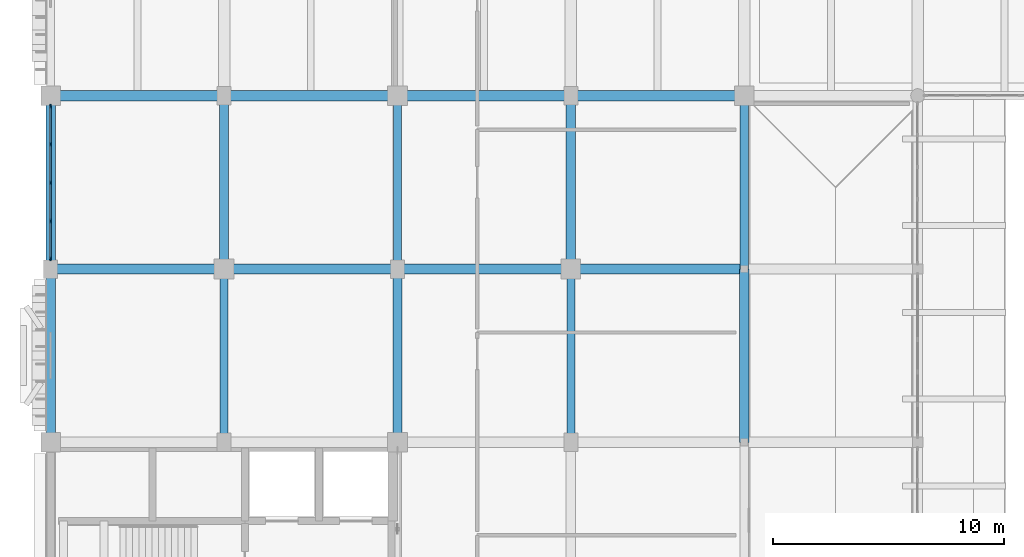
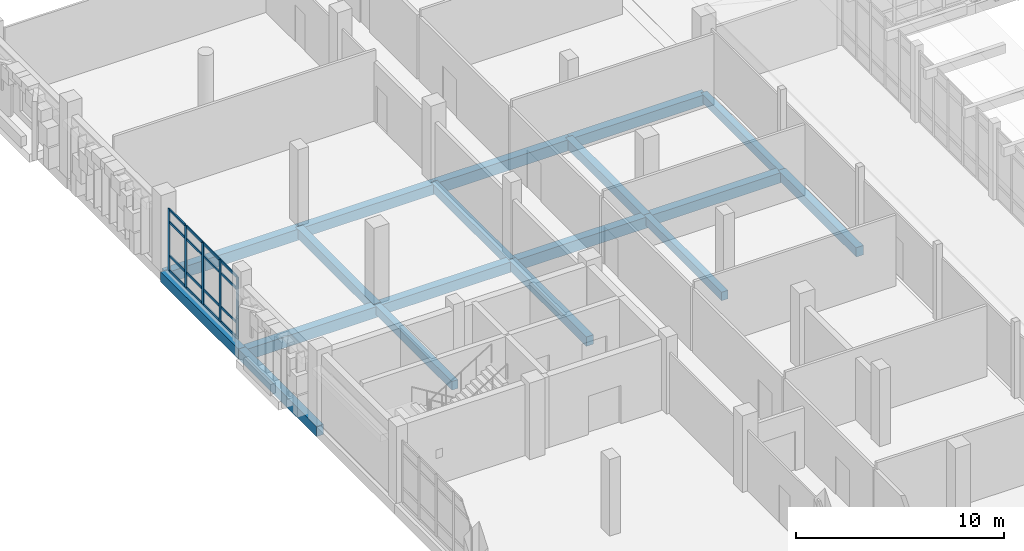
# One storey, part 43 of 128: 21 members, 18 beams, 1 element without a shape of its own.
"""IFC4 building model written with IfcOpenShell, lengths in metres."""

from ifc_helpers import new_model, si_unit, direction, frame, origin, origin_2d, place, context, subcontext, project, spatial, rectangle, extrude, material, layer, layer_set, material_profile, profile_set, type_object, element, aggregate, save


model = new_model("IFC4")

# Units and contexts
model_context = context("Model", 3, precision=1e-05, world=origin(), true_north=direction((0.0, 1.0)))
body_context = subcontext(model_context, "Body", "Model", "MODEL_VIEW")
ifc_project = project(units=[si_unit("LENGTHUNIT", "METRE"), si_unit("AREAUNIT", "SQUARE_METRE"), si_unit("VOLUMEUNIT", "CUBIC_METRE"), si_unit("PLANEANGLEUNIT", "RADIAN"), si_unit("MASSUNIT", "GRAM", prefix="KILO")], contexts=[model_context])

# Site, building, storey
site_placement = place(None, origin())
site = spatial("IfcSite", under=ifc_project, at=site_placement, CompositionType="ELEMENT")
building_placement = place(site_placement, origin())
building = spatial("IfcBuilding", under=site, at=building_placement, Name="Dalvernix Boulevard General Hospital", CompositionType="ELEMENT")
storey_placement = place(building_placement, frame((0.0, 0.0, 4.800048828125)))
storey = spatial("IfcBuildingStorey", under=building, at=storey_placement, Name="L01", CompositionType="ELEMENT", Elevation=4.800048828125)

# Beams
ifc_material_1 = material(Name="Concrete C35/45", Category="concrete")
ifc_material_profile_1 = material_profile(ifc_material_1, rectangle(XDim=0.449951171875, YDim=0.64990234375, at=origin_2d()), Name="RCB 450x650")
ifc_profile_set_1 = profile_set([ifc_material_profile_1], Name="Concrete C35/45")
beam_type_1 = type_object("IfcBeamType", Name="BM-B-03-I", PredefinedType="BEAM", material=ifc_profile_set_1)
for number, where, z_axis, x_axis, name in (
    (1, (0.0, 69.0, -0.625), (1.0, 0.0, 0.0), (0.0, 1.0, 0.0), "L01 E-W girder K:1-2"),
    (2, (15.0, 69.0, -0.625), (1.0, 0.0, 0.0), (0.0, 1.0, 0.0), "L01 E-W girder K:3-4"),
    (3, (0.0, 76.5, -0.625), (1.0, 0.0, 0.0), (0.0, 1.0, 0.0), "L01 E-W girder L:1-2"),
    (4, (15.0, 76.5, -0.625), (1.0, 0.0, 0.0), (0.0, 1.0, 0.0), "L01 E-W girder L:3-4"),
):
    element("IfcBeam", number, at=place(storey_placement, frame(where, z_axis=z_axis, x_axis=x_axis)), inside=storey, type_object=beam_type_1, Name=name, PredefinedType="BEAM", context=body_context, shape_type="SweptSolid", body=[
        extrude(rectangle(XDim=0.449951171875, YDim=0.64990234375, at=origin_2d()), origin(), (0.0, 0.0, 1.0), 7.5),
    ])
ifc_material_profile_2 = material_profile(ifc_material_1, rectangle(XDim=0.449951171875, YDim=0.60009765625, at=origin_2d()), Name="RCB 450x600")
ifc_profile_set_2 = profile_set([ifc_material_profile_2], Name="Concrete C35/45")
beam_type_2 = type_object("IfcBeamType", Name="BM-B-04-I", PredefinedType="BEAM", material=ifc_profile_set_2)
for number, where, z_axis, x_axis, name in (
    (5, (7.5, 69.0, -0.60009765625), (1.0, 0.0, 0.0), (0.0, 1.0, 0.0), "L01 E-W girder K:2-3"),
    (6, (22.5, 69.0, -0.60009765625), (1.0, 0.0, 0.0), (0.0, 1.0, 0.0), "L01 E-W girder K:4-5"),
    (7, (7.5, 76.5, -0.60009765625), (1.0, 0.0, 0.0), (0.0, 1.0, 0.0), "L01 E-W girder L:2-3"),
    (8, (22.5, 76.5, -0.60009765625), (1.0, 0.0, 0.0), (0.0, 1.0, 0.0), "L01 E-W girder L:4-5"),
):
    element("IfcBeam", number, at=place(storey_placement, frame(where, z_axis=z_axis, x_axis=x_axis)), inside=storey, type_object=beam_type_2, Name=name, PredefinedType="BEAM", context=body_context, shape_type="SweptSolid", body=[
        extrude(rectangle(XDim=0.449951171875, YDim=0.60009765625, at=origin_2d()), origin(), (0.0, 0.0, 1.0), 7.5),
    ])
ifc_material_profile_3 = material_profile(ifc_material_1, rectangle(XDim=0.39990234375, YDim=0.550048828125, at=origin_2d()), Name="RCB 400x550")
ifc_profile_set_3 = profile_set([ifc_material_profile_3], Name="Concrete C35/45")
beam_type_3 = type_object("IfcBeamType", Name="BM-B-06-I", PredefinedType="BEAM", material=ifc_profile_set_3)
for number, where, z_axis, x_axis, name in (
    (9, (7.5, 69.0, -0.574951171875), (0.0, 1.0, 0.0), (-1.0, 0.0, 0.0), "L01 N-S girder 2:K-L"),
    (10, (15.0, 61.5, -0.574951171875), (0.0, 1.0, 0.0), (-1.0, 0.0, 0.0), "L01 N-S girder 3:J-K"),
    (11, (22.5, 69.0, -0.574951171875), (0.0, 1.0, 0.0), (-1.0, 0.0, 0.0), "L01 N-S girder 4:K-L"),
    (12, (30.0, 61.5, -0.574951171875), (0.0, 1.0, 0.0), (-1.0, 0.0, 0.0), "L01 N-S girder 5:J-K"),
):
    element("IfcBeam", number, at=place(storey_placement, frame(where, z_axis=z_axis, x_axis=x_axis)), inside=storey, type_object=beam_type_3, Name=name, PredefinedType="BEAM", context=body_context, shape_type="SweptSolid", body=[
        extrude(rectangle(XDim=0.39990234375, YDim=0.550048828125, at=origin_2d()), origin(), (0.0, 0.0, 1.0), 7.5),
    ])
ifc_material_profile_4 = material_profile(ifc_material_1, rectangle(XDim=0.35009765625, YDim=0.5, at=origin_2d()), Name="RCB 350x500")
ifc_profile_set_4 = profile_set([ifc_material_profile_4], Name="Concrete C35/45")
beam_type_4 = type_object("IfcBeamType", Name="BM-B-08-I", PredefinedType="BEAM", material=ifc_profile_set_4)
for number, where, z_axis, x_axis, name in (
    (13, (7.5, 61.5, -0.550048828125), (0.0, 1.0, 0.0), (-1.0, 0.0, 0.0), "L01 N-S girder 2:J-K"),
    (14, (15.0, 69.0, -0.550048828125), (0.0, 1.0, 0.0), (-1.0, 0.0, 0.0), "L01 N-S girder 3:K-L"),
    (15, (22.5, 61.5, -0.550048828125), (0.0, 1.0, 0.0), (-1.0, 0.0, 0.0), "L01 N-S girder 4:J-K"),
    (16, (30.0, 69.0, -0.550048828125), (0.0, 1.0, 0.0), (-1.0, 0.0, 0.0), "L01 N-S girder 5:K-L"),
):
    element("IfcBeam", number, at=place(storey_placement, frame(where, z_axis=z_axis, x_axis=x_axis)), inside=storey, type_object=beam_type_4, Name=name, PredefinedType="BEAM", context=body_context, shape_type="SweptSolid", body=[
        extrude(rectangle(XDim=0.35009765625, YDim=0.5, at=origin_2d()), origin(), (0.0, 0.0, 1.0), 7.5),
    ])
ifc_material_profile_5 = material_profile(ifc_material_1, rectangle(XDim=0.39990234375, YDim=0.60009765625, at=origin_2d()), Name="RCB 400x600")
ifc_profile_set_5 = profile_set([ifc_material_profile_5], Name="Concrete C35/45")
beam_type_5 = type_object("IfcBeamType", Name="BM-SB-02-E", PredefinedType="SPANDREL", material=ifc_profile_set_5)
for number, where, z_axis, x_axis, name in (
    (17, (0.0, 61.5, -0.60009765625), (0.0, 1.0, 0.0), (-1.0, 0.0, 0.0), "L01 N-S girder 1:J-K"),
    (18, (0.0, 69.0, -0.60009765625), (0.0, 1.0, 0.0), (-1.0, 0.0, 0.0), "L01 N-S girder 1:K-L"),
):
    element("IfcBeam", number, at=place(storey_placement, frame(where, z_axis=z_axis, x_axis=x_axis)), inside=storey, type_object=beam_type_5, Name=name, PredefinedType="SPANDREL", context=body_context, shape_type="SweptSolid", body=[
        extrude(rectangle(XDim=0.39990234375, YDim=0.60009765625, at=origin_2d()), origin(), (0.0, 0.0, 1.0), 7.5),
    ])

# Curtain wall, members
ifc_material_2 = material(Name="Thermally broken aluminium and solar-control glass curtain wall", Category="aluminium")
ifc_layer = layer(ifc_material_2, 0.179931640625)
ifc_layer_set = layer_set([ifc_layer], Name="Thermally broken aluminium and solar-control glass curtain wall (CW-CW-B-67x36)")
curtain_wall_type = type_object("IfcCurtainWallType", Name="CW-CW-B-67x36", PredefinedType="USERDEFINED", material=ifc_layer_set)
curtain_wall_placement = place(storey_placement, origin())
curtain_wall = element("IfcCurtainWall", 19, at=curtain_wall_placement, inside=storey, type_object=curtain_wall_type, Name="L01 curtain wall CW-B-67x36 0-9", ObjectType="GLAZED FACADE", PredefinedType="USERDEFINED")
ifc_material_3 = material(Name="Aluminium EN AW-6060", Category="aluminium")
ifc_material_profile_6 = material_profile(ifc_material_3, rectangle(XDim=0.06494140625, YDim=0.179931640625, at=origin_2d()), Name="ALU MULL 65x180")
ifc_profile_set_6 = profile_set([ifc_material_profile_6], Name="Aluminium EN AW-6060")
member_type_1 = type_object("IfcMemberType", Name="MEM-CW-M2", PredefinedType="MULLION", material=ifc_profile_set_6)
member_1_placement = place(storey_placement, frame((0.0, 69.4423828125, 0.0), z_axis=(0.0, 0.0, 1.0), x_axis=(-1.0, 0.0, 0.0)))
member_1 = element("IfcMember", 20, at=member_1_placement, type_object=member_type_1, Name="CW-B-67x36 mullion 1", PredefinedType="MULLION", context=body_context, shape_type="SweptSolid", body=[
    extrude(rectangle(XDim=0.06494140625, YDim=0.179931640625, at=origin_2d()), origin(), (0.0, 0.0, 1.0), 3.6298828125),
])
member_2_placement = place(storey_placement, frame((0.0, 71.07373046875, 0.0), z_axis=(0.0, 0.0, 1.0), x_axis=(-1.0, 0.0, 0.0)))
member_2 = element("IfcMember", 21, at=member_2_placement, type_object=member_type_1, Name="CW-B-67x36 mullion 2", PredefinedType="MULLION", context=body_context, shape_type="SweptSolid", body=[
    extrude(rectangle(XDim=0.06494140625, YDim=0.179931640625, at=origin_2d()), origin(), (0.0, 0.0, 1.0), 3.6298828125),
])
member_3_placement = place(storey_placement, frame((0.0, 72.737548828125, 0.0), z_axis=(0.0, 0.0, 1.0), x_axis=(-1.0, 0.0, 0.0)))
member_3 = element("IfcMember", 22, at=member_3_placement, type_object=member_type_1, Name="CW-B-67x36 mullion 3", PredefinedType="MULLION", context=body_context, shape_type="SweptSolid", body=[
    extrude(rectangle(XDim=0.06494140625, YDim=0.179931640625, at=origin_2d()), origin(), (0.0, 0.0, 1.0), 3.6298828125),
])
member_4_placement = place(storey_placement, frame((0.0, 74.4013671875, 0.0), z_axis=(0.0, 0.0, 1.0), x_axis=(-1.0, 0.0, 0.0)))
member_4 = element("IfcMember", 23, at=member_4_placement, type_object=member_type_1, Name="CW-B-67x36 mullion 4", PredefinedType="MULLION", context=body_context, shape_type="SweptSolid", body=[
    extrude(rectangle(XDim=0.06494140625, YDim=0.179931640625, at=origin_2d()), origin(), (0.0, 0.0, 1.0), 3.6298828125),
])
member_5_placement = place(storey_placement, frame((0.0, 76.032470703125, 0.0), z_axis=(0.0, 0.0, 1.0), x_axis=(-1.0, 0.0, 0.0)))
member_5 = element("IfcMember", 24, at=member_5_placement, type_object=member_type_1, Name="CW-B-67x36 mullion 5", PredefinedType="MULLION", context=body_context, shape_type="SweptSolid", body=[
    extrude(rectangle(XDim=0.06494140625, YDim=0.179931640625, at=origin_2d()), origin(), (0.0, 0.0, 1.0), 3.6298828125),
])
ifc_material_profile_7 = material_profile(ifc_material_3, rectangle(XDim=0.06494140625, YDim=0.139892578125, at=origin_2d()), Name="ALU TRAN 65x140")
ifc_profile_set_7 = profile_set([ifc_material_profile_7], Name="Aluminium EN AW-6060")
member_type_2 = type_object("IfcMemberType", Name="MEM-CW-T2", PredefinedType="USERDEFINED", material=ifc_profile_set_7)
member_6_placement = place(storey_placement, frame((0.0, 69.47509765625, 0.032470703125), z_axis=(0.0, 1.0, 0.0), x_axis=(-1.0, 0.0, 0.0)))
member_6 = element("IfcMember", 25, at=member_6_placement, type_object=member_type_2, Name="CW-B-67x36 transom 1.1", ObjectType="TRANSOM", PredefinedType="USERDEFINED", context=body_context, shape_type="SweptSolid", body=[
    extrude(rectangle(XDim=0.06494140625, YDim=0.139892578125, at=origin_2d()), origin(), (0.0, 0.0, 1.0), 1.566162109375),
])
member_7_placement = place(storey_placement, frame((0.0, 69.47509765625, 0.89990234375), z_axis=(0.0, 1.0, 0.0), x_axis=(-1.0, 0.0, 0.0)))
member_7 = element("IfcMember", 26, at=member_7_placement, type_object=member_type_2, Name="CW-B-67x36 transom 1.2", ObjectType="TRANSOM", PredefinedType="USERDEFINED", context=body_context, shape_type="SweptSolid", body=[
    extrude(rectangle(XDim=0.06494140625, YDim=0.139892578125, at=origin_2d()), origin(), (0.0, 0.0, 1.0), 1.566162109375),
])
member_8_placement = place(storey_placement, frame((0.0, 69.47509765625, 2.8798828125), z_axis=(0.0, 1.0, 0.0), x_axis=(-1.0, 0.0, 0.0)))
member_8 = element("IfcMember", 27, at=member_8_placement, type_object=member_type_2, Name="CW-B-67x36 transom 1.3", ObjectType="TRANSOM", PredefinedType="USERDEFINED", context=body_context, shape_type="SweptSolid", body=[
    extrude(rectangle(XDim=0.06494140625, YDim=0.139892578125, at=origin_2d()), origin(), (0.0, 0.0, 1.0), 1.566162109375),
])
member_9_placement = place(storey_placement, frame((0.0, 69.47509765625, 3.597412109375), z_axis=(0.0, 1.0, 0.0), x_axis=(-1.0, 0.0, 0.0)))
member_9 = element("IfcMember", 28, at=member_9_placement, type_object=member_type_2, Name="CW-B-67x36 transom 1.4", ObjectType="TRANSOM", PredefinedType="USERDEFINED", context=body_context, shape_type="SweptSolid", body=[
    extrude(rectangle(XDim=0.06494140625, YDim=0.139892578125, at=origin_2d()), origin(), (0.0, 0.0, 1.0), 1.566162109375),
])
member_10_placement = place(storey_placement, frame((0.0, 71.106201171875, 0.032470703125), z_axis=(0.0, 1.0, 0.0), x_axis=(-1.0, 0.0, 0.0)))
member_10 = element("IfcMember", 29, at=member_10_placement, type_object=member_type_2, Name="CW-B-67x36 transom 2.1", ObjectType="TRANSOM", PredefinedType="USERDEFINED", context=body_context, shape_type="SweptSolid", body=[
    extrude(rectangle(XDim=0.06494140625, YDim=0.139892578125, at=origin_2d()), origin(), (0.0, 0.0, 1.0), 1.598876953125),
])
member_11_placement = place(storey_placement, frame((0.0, 71.106201171875, 0.89990234375), z_axis=(0.0, 1.0, 0.0), x_axis=(-1.0, 0.0, 0.0)))
member_11 = element("IfcMember", 30, at=member_11_placement, type_object=member_type_2, Name="CW-B-67x36 transom 2.2", ObjectType="TRANSOM", PredefinedType="USERDEFINED", context=body_context, shape_type="SweptSolid", body=[
    extrude(rectangle(XDim=0.06494140625, YDim=0.139892578125, at=origin_2d()), origin(), (0.0, 0.0, 1.0), 1.598876953125),
])
member_12_placement = place(storey_placement, frame((0.0, 71.106201171875, 2.8798828125), z_axis=(0.0, 1.0, 0.0), x_axis=(-1.0, 0.0, 0.0)))
member_12 = element("IfcMember", 31, at=member_12_placement, type_object=member_type_2, Name="CW-B-67x36 transom 2.3", ObjectType="TRANSOM", PredefinedType="USERDEFINED", context=body_context, shape_type="SweptSolid", body=[
    extrude(rectangle(XDim=0.06494140625, YDim=0.139892578125, at=origin_2d()), origin(), (0.0, 0.0, 1.0), 1.598876953125),
])
member_13_placement = place(storey_placement, frame((0.0, 71.106201171875, 3.597412109375), z_axis=(0.0, 1.0, 0.0), x_axis=(-1.0, 0.0, 0.0)))
member_13 = element("IfcMember", 32, at=member_13_placement, type_object=member_type_2, Name="CW-B-67x36 transom 2.4", ObjectType="TRANSOM", PredefinedType="USERDEFINED", context=body_context, shape_type="SweptSolid", body=[
    extrude(rectangle(XDim=0.06494140625, YDim=0.139892578125, at=origin_2d()), origin(), (0.0, 0.0, 1.0), 1.598876953125),
])
member_14_placement = place(storey_placement, frame((0.0, 72.77001953125, 0.032470703125), z_axis=(0.0, 1.0, 0.0), x_axis=(-1.0, 0.0, 0.0)))
member_14 = element("IfcMember", 33, at=member_14_placement, type_object=member_type_2, Name="CW-B-67x36 transom 3.1", ObjectType="TRANSOM", PredefinedType="USERDEFINED", context=body_context, shape_type="SweptSolid", body=[
    extrude(rectangle(XDim=0.06494140625, YDim=0.139892578125, at=origin_2d()), origin(), (0.0, 0.0, 1.0), 1.5986328125),
])
member_15_placement = place(storey_placement, frame((0.0, 72.77001953125, 0.89990234375), z_axis=(0.0, 1.0, 0.0), x_axis=(-1.0, 0.0, 0.0)))
member_15 = element("IfcMember", 34, at=member_15_placement, type_object=member_type_2, Name="CW-B-67x36 transom 3.2", ObjectType="TRANSOM", PredefinedType="USERDEFINED", context=body_context, shape_type="SweptSolid", body=[
    extrude(rectangle(XDim=0.06494140625, YDim=0.139892578125, at=origin_2d()), origin(), (0.0, 0.0, 1.0), 1.5986328125),
])
member_16_placement = place(storey_placement, frame((0.0, 72.77001953125, 2.8798828125), z_axis=(0.0, 1.0, 0.0), x_axis=(-1.0, 0.0, 0.0)))
member_16 = element("IfcMember", 35, at=member_16_placement, type_object=member_type_2, Name="CW-B-67x36 transom 3.3", ObjectType="TRANSOM", PredefinedType="USERDEFINED", context=body_context, shape_type="SweptSolid", body=[
    extrude(rectangle(XDim=0.06494140625, YDim=0.139892578125, at=origin_2d()), origin(), (0.0, 0.0, 1.0), 1.5986328125),
])
member_17_placement = place(storey_placement, frame((0.0, 72.77001953125, 3.597412109375), z_axis=(0.0, 1.0, 0.0), x_axis=(-1.0, 0.0, 0.0)))
member_17 = element("IfcMember", 36, at=member_17_placement, type_object=member_type_2, Name="CW-B-67x36 transom 3.4", ObjectType="TRANSOM", PredefinedType="USERDEFINED", context=body_context, shape_type="SweptSolid", body=[
    extrude(rectangle(XDim=0.06494140625, YDim=0.139892578125, at=origin_2d()), origin(), (0.0, 0.0, 1.0), 1.5986328125),
])
member_18_placement = place(storey_placement, frame((0.0, 74.433837890625, 0.032470703125), z_axis=(0.0, 1.0, 0.0), x_axis=(-1.0, 0.0, 0.0)))
member_18 = element("IfcMember", 37, at=member_18_placement, type_object=member_type_2, Name="CW-B-67x36 transom 4.1", ObjectType="TRANSOM", PredefinedType="USERDEFINED", context=body_context, shape_type="SweptSolid", body=[
    extrude(rectangle(XDim=0.06494140625, YDim=0.139892578125, at=origin_2d()), origin(), (0.0, 0.0, 1.0), 1.566162109375),
])
member_19_placement = place(storey_placement, frame((0.0, 74.433837890625, 0.89990234375), z_axis=(0.0, 1.0, 0.0), x_axis=(-1.0, 0.0, 0.0)))
member_19 = element("IfcMember", 38, at=member_19_placement, type_object=member_type_2, Name="CW-B-67x36 transom 4.2", ObjectType="TRANSOM", PredefinedType="USERDEFINED", context=body_context, shape_type="SweptSolid", body=[
    extrude(rectangle(XDim=0.06494140625, YDim=0.139892578125, at=origin_2d()), origin(), (0.0, 0.0, 1.0), 1.566162109375),
])
member_20_placement = place(storey_placement, frame((0.0, 74.433837890625, 2.8798828125), z_axis=(0.0, 1.0, 0.0), x_axis=(-1.0, 0.0, 0.0)))
member_20 = element("IfcMember", 39, at=member_20_placement, type_object=member_type_2, Name="CW-B-67x36 transom 4.3", ObjectType="TRANSOM", PredefinedType="USERDEFINED", context=body_context, shape_type="SweptSolid", body=[
    extrude(rectangle(XDim=0.06494140625, YDim=0.139892578125, at=origin_2d()), origin(), (0.0, 0.0, 1.0), 1.566162109375),
])
member_21_placement = place(storey_placement, frame((0.0, 74.433837890625, 3.597412109375), z_axis=(0.0, 1.0, 0.0), x_axis=(-1.0, 0.0, 0.0)))
member_21 = element("IfcMember", 40, at=member_21_placement, type_object=member_type_2, Name="CW-B-67x36 transom 4.4", ObjectType="TRANSOM", PredefinedType="USERDEFINED", context=body_context, shape_type="SweptSolid", body=[
    extrude(rectangle(XDim=0.06494140625, YDim=0.139892578125, at=origin_2d()), origin(), (0.0, 0.0, 1.0), 1.566162109375),
])
aggregate(curtain_wall, [member_1, member_2, member_3, member_4, member_5, member_6, member_7, member_8, member_9, member_10, member_11, member_12, member_13, member_14, member_15, member_16, member_17, member_18, member_19, member_20, member_21])

save(model, "model.ifc")
